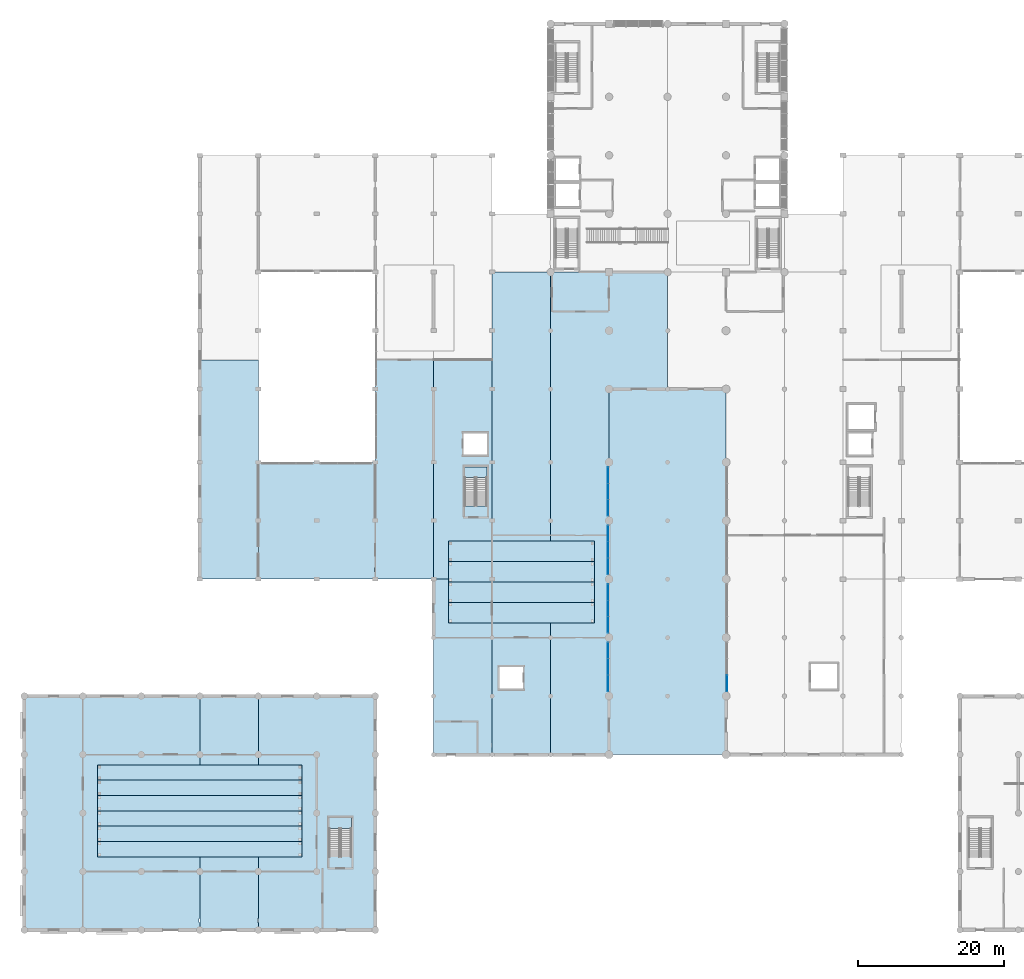
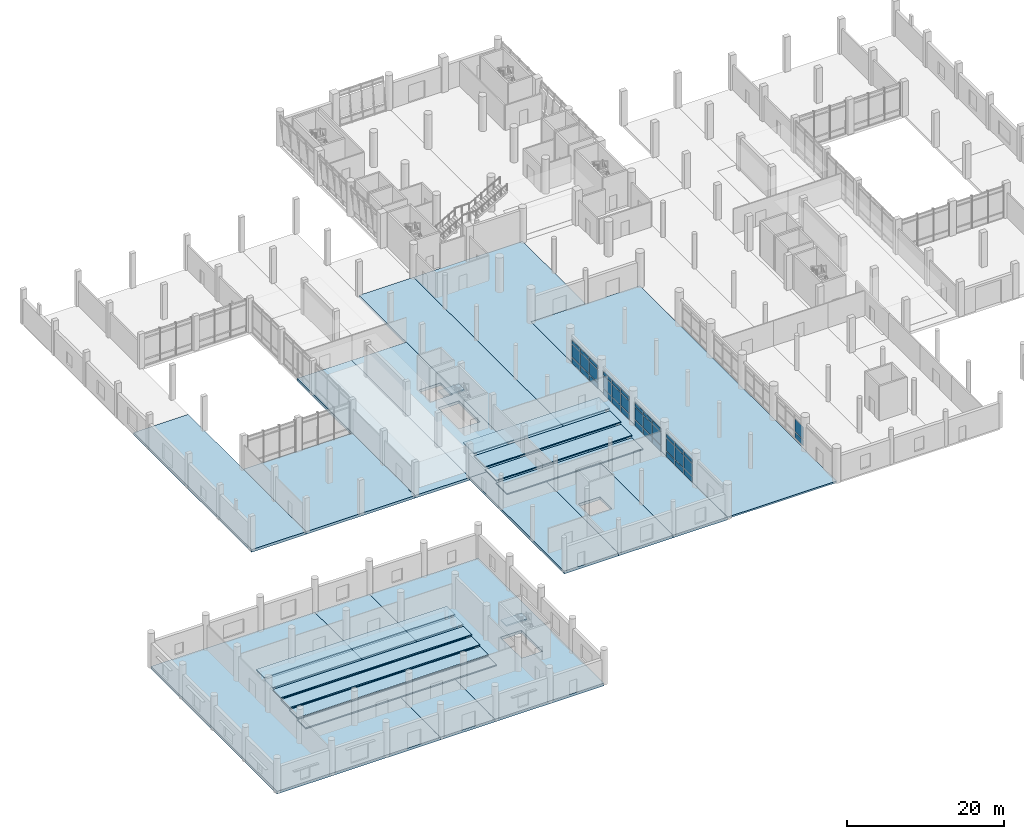
# One storey, part 15 of 42: 38 plates, 23 slabs, 7 elements without a shape of their own.
"""IFC4 building model written with IfcOpenShell, lengths in metres."""

from ifc_helpers import new_model, si_unit, direction, frame, origin, origin_2d, place, context, subcontext, project, spatial, polyline, rectangle, outline, extrude, material, layer, layer_set, type_object, element, aggregate, save


model = new_model("IFC4")

# Units and contexts
model_context = context("Model", 3, precision=1e-05, world=origin(), true_north=direction((0.0, 1.0)))
body_context = subcontext(model_context, "Body", "Model", "MODEL_VIEW")
ifc_project = project(units=[si_unit("LENGTHUNIT", "METRE"), si_unit("AREAUNIT", "SQUARE_METRE"), si_unit("VOLUMEUNIT", "CUBIC_METRE"), si_unit("PLANEANGLEUNIT", "RADIAN"), si_unit("MASSUNIT", "GRAM", prefix="KILO")], contexts=[model_context])

# Site, building, storey
site_placement = place(None, origin())
site = spatial("IfcSite", under=ifc_project, at=site_placement, CompositionType="ELEMENT")
building_placement = place(site_placement, origin())
building = spatial("IfcBuilding", under=site, at=building_placement, Name="Pecanmere Concourse Central Library", CompositionType="ELEMENT")
storey_placement = place(building_placement, origin())
storey = spatial("IfcBuildingStorey", under=building, at=storey_placement, Name="L01", CompositionType="ELEMENT", Elevation=0.0)

# Curtain wall, plates
ifc_material_1 = material(Name="Clear anodized aluminium alloy 6063-T6", Category="aluminium")
curtain_wall_type = type_object("IfcCurtainWallType", Name="CW_CLOISTER_GLAZ", PredefinedType="USERDEFINED", material=ifc_material_1)
curtain_wall_1_placement = place(storey_placement, origin())
curtain_wall_1 = element("IfcCurtainWall", 1, at=curtain_wall_1_placement, inside=storey, type_object=curtain_wall_type, Name="Unitised Curtain Wall CW-04 L01-163", ObjectType="UNITISED CURTAIN WALL", PredefinedType="USERDEFINED")
ifc_material_2 = material(Name="White ceramic-fritted insulated spandrel glazing", Category="glass")
ifc_layer_1 = layer(ifc_material_2, 0.053955078125, Name="CWP_SPN_54")
ifc_layer_set_1 = layer_set([ifc_layer_1], Name="White ceramic-fritted insulated spandrel glazing")
plate_type_1 = type_object("IfcPlateType", Name="CWP_SPN_54", PredefinedType="CURTAIN_PANEL", material=ifc_layer_set_1)
plate_1_placement = place(storey_placement, frame((79.85009765625, 33.77490234375, 0.14013671875), z_axis=(0.0, 0.0, 1.0), x_axis=(0.0, 1.0, 0.0)))
plate_1 = element("IfcPlate", 2, at=plate_1_placement, type_object=plate_type_1, Name="CW-04 Spandrel Panel 1.1", PredefinedType="CURTAIN_PANEL", context=body_context, shape_type="SweptSolid", body=[
    extrude(rectangle(XDim=2.14990234375, YDim=0.035888671875, at=origin_2d()), origin(), (0.0, 0.0, 1.0), 0.840087890625),
])
plate_2_placement = place(storey_placement, frame((79.85009765625, 36.0, 0.14013671875), z_axis=(0.0, 0.0, 1.0), x_axis=(0.0, 1.0, 0.0)))
plate_2 = element("IfcPlate", 3, at=plate_2_placement, type_object=plate_type_1, Name="CW-04 Spandrel Panel 2.1", PredefinedType="CURTAIN_PANEL", context=body_context, shape_type="SweptSolid", body=[
    extrude(rectangle(XDim=2.179931640625, YDim=0.035888671875, at=origin_2d()), origin(), (0.0, 0.0, 1.0), 0.840087890625),
])
plate_3_placement = place(storey_placement, frame((79.85009765625, 38.22509765625, 0.14013671875), z_axis=(0.0, 0.0, 1.0), x_axis=(0.0, 1.0, 0.0)))
plate_3 = element("IfcPlate", 4, at=plate_3_placement, type_object=plate_type_1, Name="CW-04 Spandrel Panel 3.1", PredefinedType="CURTAIN_PANEL", context=body_context, shape_type="SweptSolid", body=[
    extrude(rectangle(XDim=2.14990234375, YDim=0.035888671875, at=origin_2d()), origin(), (0.0, 0.0, 1.0), 0.840087890625),
])

# Curtain wall, plate
curtain_wall_2_placement = place(storey_placement, origin())
curtain_wall_2 = element("IfcCurtainWall", 5, at=curtain_wall_2_placement, inside=storey, type_object=curtain_wall_type, Name="Unitised Curtain Wall CW-04 L01-164", ObjectType="UNITISED CURTAIN WALL", PredefinedType="USERDEFINED")
plate_4_placement = place(storey_placement, frame((96.14990234375, 33.77490234375, 0.14013671875), z_axis=(0.0, 0.0, 1.0), x_axis=(0.0, -1.0, 0.0)))
plate_4 = element("IfcPlate", 6, at=plate_4_placement, type_object=plate_type_1, Name="CW-04 Spandrel Panel 3.1", PredefinedType="CURTAIN_PANEL", context=body_context, shape_type="SweptSolid", body=[
    extrude(rectangle(XDim=2.14990234375, YDim=0.035888671875, at=origin_2d()), origin(), (0.0, 0.0, 1.0), 0.840087890625),
])

# Curtain wall, plates
curtain_wall_3_placement = place(storey_placement, origin())
curtain_wall_3 = element("IfcCurtainWall", 7, at=curtain_wall_3_placement, inside=storey, type_object=curtain_wall_type, Name="Unitised Curtain Wall CW-04 L01-165", ObjectType="UNITISED CURTAIN WALL", PredefinedType="USERDEFINED")
plate_5_placement = place(storey_placement, frame((79.85009765625, 41.77490234375, 0.14013671875), z_axis=(0.0, 0.0, 1.0), x_axis=(0.0, 1.0, 0.0)))
plate_5 = element("IfcPlate", 8, at=plate_5_placement, type_object=plate_type_1, Name="CW-04 Spandrel Panel 1.1", PredefinedType="CURTAIN_PANEL", context=body_context, shape_type="SweptSolid", body=[
    extrude(rectangle(XDim=2.14990234375, YDim=0.035888671875, at=origin_2d()), origin(), (0.0, 0.0, 1.0), 0.840087890625),
])
plate_6_placement = place(storey_placement, frame((79.85009765625, 44.0, 0.14013671875), z_axis=(0.0, 0.0, 1.0), x_axis=(0.0, 1.0, 0.0)))
plate_6 = element("IfcPlate", 9, at=plate_6_placement, type_object=plate_type_1, Name="CW-04 Spandrel Panel 2.1", PredefinedType="CURTAIN_PANEL", context=body_context, shape_type="SweptSolid", body=[
    extrude(rectangle(XDim=2.179931640625, YDim=0.035888671875, at=origin_2d()), origin(), (0.0, 0.0, 1.0), 0.840087890625),
])
plate_7_placement = place(storey_placement, frame((79.85009765625, 46.22509765625, 0.14013671875), z_axis=(0.0, 0.0, 1.0), x_axis=(0.0, 1.0, 0.0)))
plate_7 = element("IfcPlate", 10, at=plate_7_placement, type_object=plate_type_1, Name="CW-04 Spandrel Panel 3.1", PredefinedType="CURTAIN_PANEL", context=body_context, shape_type="SweptSolid", body=[
    extrude(rectangle(XDim=2.14990234375, YDim=0.035888671875, at=origin_2d()), origin(), (0.0, 0.0, 1.0), 0.840087890625),
])

curtain_wall_4_placement = place(storey_placement, origin())
curtain_wall_4 = element("IfcCurtainWall", 11, at=curtain_wall_4_placement, inside=storey, type_object=curtain_wall_type, Name="Unitised Curtain Wall CW-04 L01-167", ObjectType="UNITISED CURTAIN WALL", PredefinedType="USERDEFINED")
plate_8_placement = place(storey_placement, frame((79.85009765625, 49.77490234375, 0.14013671875), z_axis=(0.0, 0.0, 1.0), x_axis=(0.0, 1.0, 0.0)))
plate_8 = element("IfcPlate", 12, at=plate_8_placement, type_object=plate_type_1, Name="CW-04 Spandrel Panel 1.1", PredefinedType="CURTAIN_PANEL", context=body_context, shape_type="SweptSolid", body=[
    extrude(rectangle(XDim=2.14990234375, YDim=0.035888671875, at=origin_2d()), origin(), (0.0, 0.0, 1.0), 0.840087890625),
])
plate_9_placement = place(storey_placement, frame((79.85009765625, 52.0, 0.14013671875), z_axis=(0.0, 0.0, 1.0), x_axis=(0.0, 1.0, 0.0)))
plate_9 = element("IfcPlate", 13, at=plate_9_placement, type_object=plate_type_1, Name="CW-04 Spandrel Panel 2.1", PredefinedType="CURTAIN_PANEL", context=body_context, shape_type="SweptSolid", body=[
    extrude(rectangle(XDim=2.179931640625, YDim=0.035888671875, at=origin_2d()), origin(), (0.0, 0.0, 1.0), 0.840087890625),
])
plate_10_placement = place(storey_placement, frame((79.85009765625, 54.22509765625, 0.14013671875), z_axis=(0.0, 0.0, 1.0), x_axis=(0.0, 1.0, 0.0)))
plate_10 = element("IfcPlate", 14, at=plate_10_placement, type_object=plate_type_1, Name="CW-04 Spandrel Panel 3.1", PredefinedType="CURTAIN_PANEL", context=body_context, shape_type="SweptSolid", body=[
    extrude(rectangle(XDim=2.14990234375, YDim=0.035888671875, at=origin_2d()), origin(), (0.0, 0.0, 1.0), 0.840087890625),
])

curtain_wall_5_placement = place(storey_placement, origin())
curtain_wall_5 = element("IfcCurtainWall", 15, at=curtain_wall_5_placement, inside=storey, type_object=curtain_wall_type, Name="Unitised Curtain Wall CW-04 L01-169", ObjectType="UNITISED CURTAIN WALL", PredefinedType="USERDEFINED")
plate_11_placement = place(storey_placement, frame((79.85009765625, 57.77490234375, 0.14013671875), z_axis=(0.0, 0.0, 1.0), x_axis=(0.0, 1.0, 0.0)))
plate_11 = element("IfcPlate", 16, at=plate_11_placement, type_object=plate_type_1, Name="CW-04 Spandrel Panel 1.1", PredefinedType="CURTAIN_PANEL", context=body_context, shape_type="SweptSolid", body=[
    extrude(rectangle(XDim=2.14990234375, YDim=0.035888671875, at=origin_2d()), origin(), (0.0, 0.0, 1.0), 0.840087890625),
])
plate_12_placement = place(storey_placement, frame((79.85009765625, 60.0, 0.14013671875), z_axis=(0.0, 0.0, 1.0), x_axis=(0.0, 1.0, 0.0)))
plate_12 = element("IfcPlate", 17, at=plate_12_placement, type_object=plate_type_1, Name="CW-04 Spandrel Panel 2.1", PredefinedType="CURTAIN_PANEL", context=body_context, shape_type="SweptSolid", body=[
    extrude(rectangle(XDim=2.179931640625, YDim=0.035888671875, at=origin_2d()), origin(), (0.0, 0.0, 1.0), 0.840087890625),
])
plate_13_placement = place(storey_placement, frame((79.85009765625, 62.22509765625, 0.14013671875), z_axis=(0.0, 0.0, 1.0), x_axis=(0.0, 1.0, 0.0)))
plate_13 = element("IfcPlate", 18, at=plate_13_placement, type_object=plate_type_1, Name="CW-04 Spandrel Panel 3.1", PredefinedType="CURTAIN_PANEL", context=body_context, shape_type="SweptSolid", body=[
    extrude(rectangle(XDim=2.14990234375, YDim=0.035888671875, at=origin_2d()), origin(), (0.0, 0.0, 1.0), 0.840087890625),
])

# Plate
ifc_material_3 = material(Name="Low-iron clear insulated glazing", Category="glass")
ifc_layer_2 = layer(ifc_material_3, 0.035888671875, Name="CWP_VIS_36")
ifc_layer_set_2 = layer_set([ifc_layer_2], Name="Low-iron clear insulated glazing")
plate_type_2 = type_object("IfcPlateType", Name="CWP_VIS_36", PredefinedType="CURTAIN_PANEL", material=ifc_layer_set_2)
plate_14_placement = place(storey_placement, frame((79.85009765625, 33.77490234375, 1.1201171875), z_axis=(0.0, 0.0, 1.0), x_axis=(0.0, 1.0, 0.0)))
plate_14 = element("IfcPlate", 19, at=plate_14_placement, type_object=plate_type_2, Name="CW-04 Vision Panel 1.2", PredefinedType="CURTAIN_PANEL", context=body_context, shape_type="SweptSolid", body=[
    extrude(rectangle(XDim=2.14990234375, YDim=0.035888671875, at=origin_2d()), origin(), (0.0, 0.0, 1.0), 1.909912109375),
])

plate_15_placement = place(storey_placement, frame((79.85009765625, 33.77490234375, 3.169921875), z_axis=(0.0, 0.0, 1.0), x_axis=(0.0, 1.0, 0.0)))
plate_15 = element("IfcPlate", 20, at=plate_15_placement, type_object=plate_type_2, Name="CW-04 Vision Panel 1.3", PredefinedType="CURTAIN_PANEL", context=body_context, shape_type="SweptSolid", body=[
    extrude(rectangle(XDim=2.14990234375, YDim=0.035888671875, at=origin_2d()), origin(), (0.0, 0.0, 1.0), 0.5400390625),
])

plate_16_placement = place(storey_placement, frame((79.85009765625, 36.0, 1.1201171875), z_axis=(0.0, 0.0, 1.0), x_axis=(0.0, 1.0, 0.0)))
plate_16 = element("IfcPlate", 21, at=plate_16_placement, type_object=plate_type_2, Name="CW-04 Vision Panel 2.2", PredefinedType="CURTAIN_PANEL", context=body_context, shape_type="SweptSolid", body=[
    extrude(rectangle(XDim=2.179931640625, YDim=0.035888671875, at=origin_2d()), origin(), (0.0, 0.0, 1.0), 1.909912109375),
])

plate_17_placement = place(storey_placement, frame((79.85009765625, 36.0, 3.169921875), z_axis=(0.0, 0.0, 1.0), x_axis=(0.0, 1.0, 0.0)))
plate_17 = element("IfcPlate", 22, at=plate_17_placement, type_object=plate_type_2, Name="CW-04 Vision Panel 2.3", PredefinedType="CURTAIN_PANEL", context=body_context, shape_type="SweptSolid", body=[
    extrude(rectangle(XDim=2.179931640625, YDim=0.035888671875, at=origin_2d()), origin(), (0.0, 0.0, 1.0), 0.5400390625),
])

plate_18_placement = place(storey_placement, frame((79.85009765625, 38.22509765625, 1.1201171875), z_axis=(0.0, 0.0, 1.0), x_axis=(0.0, 1.0, 0.0)))
plate_18 = element("IfcPlate", 23, at=plate_18_placement, type_object=plate_type_2, Name="CW-04 Vision Panel 3.2", PredefinedType="CURTAIN_PANEL", context=body_context, shape_type="SweptSolid", body=[
    extrude(rectangle(XDim=2.14990234375, YDim=0.035888671875, at=origin_2d()), origin(), (0.0, 0.0, 1.0), 1.909912109375),
])

plate_19_placement = place(storey_placement, frame((79.85009765625, 38.22509765625, 3.169921875), z_axis=(0.0, 0.0, 1.0), x_axis=(0.0, 1.0, 0.0)))
plate_19 = element("IfcPlate", 24, at=plate_19_placement, type_object=plate_type_2, Name="CW-04 Vision Panel 3.3", PredefinedType="CURTAIN_PANEL", context=body_context, shape_type="SweptSolid", body=[
    extrude(rectangle(XDim=2.14990234375, YDim=0.035888671875, at=origin_2d()), origin(), (0.0, 0.0, 1.0), 0.5400390625),
])

aggregate(curtain_wall_1, [plate_1, plate_14, plate_15, plate_2, plate_16, plate_17, plate_3, plate_18, plate_19])

plate_20_placement = place(storey_placement, frame((96.14990234375, 33.77490234375, 1.1201171875), z_axis=(0.0, 0.0, 1.0), x_axis=(0.0, -1.0, 0.0)))
plate_20 = element("IfcPlate", 25, at=plate_20_placement, type_object=plate_type_2, Name="CW-04 Vision Panel 3.2", PredefinedType="CURTAIN_PANEL", context=body_context, shape_type="SweptSolid", body=[
    extrude(rectangle(XDim=2.14990234375, YDim=0.035888671875, at=origin_2d()), origin(), (0.0, 0.0, 1.0), 1.909912109375),
])

aggregate(curtain_wall_2, [plate_4, plate_20])

plate_21_placement = place(storey_placement, frame((79.85009765625, 41.77490234375, 1.1201171875), z_axis=(0.0, 0.0, 1.0), x_axis=(0.0, 1.0, 0.0)))
plate_21 = element("IfcPlate", 26, at=plate_21_placement, type_object=plate_type_2, Name="CW-04 Vision Panel 1.2", PredefinedType="CURTAIN_PANEL", context=body_context, shape_type="SweptSolid", body=[
    extrude(rectangle(XDim=2.14990234375, YDim=0.035888671875, at=origin_2d()), origin(), (0.0, 0.0, 1.0), 1.909912109375),
])

plate_22_placement = place(storey_placement, frame((79.85009765625, 41.77490234375, 3.169921875), z_axis=(0.0, 0.0, 1.0), x_axis=(0.0, 1.0, 0.0)))
plate_22 = element("IfcPlate", 27, at=plate_22_placement, type_object=plate_type_2, Name="CW-04 Vision Panel 1.3", PredefinedType="CURTAIN_PANEL", context=body_context, shape_type="SweptSolid", body=[
    extrude(rectangle(XDim=2.14990234375, YDim=0.035888671875, at=origin_2d()), origin(), (0.0, 0.0, 1.0), 0.5400390625),
])

plate_23_placement = place(storey_placement, frame((79.85009765625, 44.0, 1.1201171875), z_axis=(0.0, 0.0, 1.0), x_axis=(0.0, 1.0, 0.0)))
plate_23 = element("IfcPlate", 28, at=plate_23_placement, type_object=plate_type_2, Name="CW-04 Vision Panel 2.2", PredefinedType="CURTAIN_PANEL", context=body_context, shape_type="SweptSolid", body=[
    extrude(rectangle(XDim=2.179931640625, YDim=0.035888671875, at=origin_2d()), origin(), (0.0, 0.0, 1.0), 1.909912109375),
])

plate_24_placement = place(storey_placement, frame((79.85009765625, 44.0, 3.169921875), z_axis=(0.0, 0.0, 1.0), x_axis=(0.0, 1.0, 0.0)))
plate_24 = element("IfcPlate", 29, at=plate_24_placement, type_object=plate_type_2, Name="CW-04 Vision Panel 2.3", PredefinedType="CURTAIN_PANEL", context=body_context, shape_type="SweptSolid", body=[
    extrude(rectangle(XDim=2.179931640625, YDim=0.035888671875, at=origin_2d()), origin(), (0.0, 0.0, 1.0), 0.5400390625),
])

plate_25_placement = place(storey_placement, frame((79.85009765625, 46.22509765625, 1.1201171875), z_axis=(0.0, 0.0, 1.0), x_axis=(0.0, 1.0, 0.0)))
plate_25 = element("IfcPlate", 30, at=plate_25_placement, type_object=plate_type_2, Name="CW-04 Vision Panel 3.2", PredefinedType="CURTAIN_PANEL", context=body_context, shape_type="SweptSolid", body=[
    extrude(rectangle(XDim=2.14990234375, YDim=0.035888671875, at=origin_2d()), origin(), (0.0, 0.0, 1.0), 1.909912109375),
])

plate_26_placement = place(storey_placement, frame((79.85009765625, 46.22509765625, 3.169921875), z_axis=(0.0, 0.0, 1.0), x_axis=(0.0, 1.0, 0.0)))
plate_26 = element("IfcPlate", 31, at=plate_26_placement, type_object=plate_type_2, Name="CW-04 Vision Panel 3.3", PredefinedType="CURTAIN_PANEL", context=body_context, shape_type="SweptSolid", body=[
    extrude(rectangle(XDim=2.14990234375, YDim=0.035888671875, at=origin_2d()), origin(), (0.0, 0.0, 1.0), 0.5400390625),
])

aggregate(curtain_wall_3, [plate_5, plate_21, plate_22, plate_6, plate_23, plate_24, plate_7, plate_25, plate_26])

plate_27_placement = place(storey_placement, frame((79.85009765625, 49.77490234375, 1.1201171875), z_axis=(0.0, 0.0, 1.0), x_axis=(0.0, 1.0, 0.0)))
plate_27 = element("IfcPlate", 32, at=plate_27_placement, type_object=plate_type_2, Name="CW-04 Vision Panel 1.2", PredefinedType="CURTAIN_PANEL", context=body_context, shape_type="SweptSolid", body=[
    extrude(rectangle(XDim=2.14990234375, YDim=0.035888671875, at=origin_2d()), origin(), (0.0, 0.0, 1.0), 1.909912109375),
])

plate_28_placement = place(storey_placement, frame((79.85009765625, 49.77490234375, 3.169921875), z_axis=(0.0, 0.0, 1.0), x_axis=(0.0, 1.0, 0.0)))
plate_28 = element("IfcPlate", 33, at=plate_28_placement, type_object=plate_type_2, Name="CW-04 Vision Panel 1.3", PredefinedType="CURTAIN_PANEL", context=body_context, shape_type="SweptSolid", body=[
    extrude(rectangle(XDim=2.14990234375, YDim=0.035888671875, at=origin_2d()), origin(), (0.0, 0.0, 1.0), 0.5400390625),
])

plate_29_placement = place(storey_placement, frame((79.85009765625, 52.0, 1.1201171875), z_axis=(0.0, 0.0, 1.0), x_axis=(0.0, 1.0, 0.0)))
plate_29 = element("IfcPlate", 34, at=plate_29_placement, type_object=plate_type_2, Name="CW-04 Vision Panel 2.2", PredefinedType="CURTAIN_PANEL", context=body_context, shape_type="SweptSolid", body=[
    extrude(rectangle(XDim=2.179931640625, YDim=0.035888671875, at=origin_2d()), origin(), (0.0, 0.0, 1.0), 1.909912109375),
])

plate_30_placement = place(storey_placement, frame((79.85009765625, 52.0, 3.169921875), z_axis=(0.0, 0.0, 1.0), x_axis=(0.0, 1.0, 0.0)))
plate_30 = element("IfcPlate", 35, at=plate_30_placement, type_object=plate_type_2, Name="CW-04 Vision Panel 2.3", PredefinedType="CURTAIN_PANEL", context=body_context, shape_type="SweptSolid", body=[
    extrude(rectangle(XDim=2.179931640625, YDim=0.035888671875, at=origin_2d()), origin(), (0.0, 0.0, 1.0), 0.5400390625),
])

plate_31_placement = place(storey_placement, frame((79.85009765625, 54.22509765625, 1.1201171875), z_axis=(0.0, 0.0, 1.0), x_axis=(0.0, 1.0, 0.0)))
plate_31 = element("IfcPlate", 36, at=plate_31_placement, type_object=plate_type_2, Name="CW-04 Vision Panel 3.2", PredefinedType="CURTAIN_PANEL", context=body_context, shape_type="SweptSolid", body=[
    extrude(rectangle(XDim=2.14990234375, YDim=0.035888671875, at=origin_2d()), origin(), (0.0, 0.0, 1.0), 1.909912109375),
])

plate_32_placement = place(storey_placement, frame((79.85009765625, 54.22509765625, 3.169921875), z_axis=(0.0, 0.0, 1.0), x_axis=(0.0, 1.0, 0.0)))
plate_32 = element("IfcPlate", 37, at=plate_32_placement, type_object=plate_type_2, Name="CW-04 Vision Panel 3.3", PredefinedType="CURTAIN_PANEL", context=body_context, shape_type="SweptSolid", body=[
    extrude(rectangle(XDim=2.14990234375, YDim=0.035888671875, at=origin_2d()), origin(), (0.0, 0.0, 1.0), 0.5400390625),
])

aggregate(curtain_wall_4, [plate_8, plate_27, plate_28, plate_9, plate_29, plate_30, plate_10, plate_31, plate_32])

plate_33_placement = place(storey_placement, frame((79.85009765625, 57.77490234375, 1.1201171875), z_axis=(0.0, 0.0, 1.0), x_axis=(0.0, 1.0, 0.0)))
plate_33 = element("IfcPlate", 38, at=plate_33_placement, type_object=plate_type_2, Name="CW-04 Vision Panel 1.2", PredefinedType="CURTAIN_PANEL", context=body_context, shape_type="SweptSolid", body=[
    extrude(rectangle(XDim=2.14990234375, YDim=0.035888671875, at=origin_2d()), origin(), (0.0, 0.0, 1.0), 1.909912109375),
])

plate_34_placement = place(storey_placement, frame((79.85009765625, 57.77490234375, 3.169921875), z_axis=(0.0, 0.0, 1.0), x_axis=(0.0, 1.0, 0.0)))
plate_34 = element("IfcPlate", 39, at=plate_34_placement, type_object=plate_type_2, Name="CW-04 Vision Panel 1.3", PredefinedType="CURTAIN_PANEL", context=body_context, shape_type="SweptSolid", body=[
    extrude(rectangle(XDim=2.14990234375, YDim=0.035888671875, at=origin_2d()), origin(), (0.0, 0.0, 1.0), 0.5400390625),
])

plate_35_placement = place(storey_placement, frame((79.85009765625, 60.0, 1.1201171875), z_axis=(0.0, 0.0, 1.0), x_axis=(0.0, 1.0, 0.0)))
plate_35 = element("IfcPlate", 40, at=plate_35_placement, type_object=plate_type_2, Name="CW-04 Vision Panel 2.2", PredefinedType="CURTAIN_PANEL", context=body_context, shape_type="SweptSolid", body=[
    extrude(rectangle(XDim=2.179931640625, YDim=0.035888671875, at=origin_2d()), origin(), (0.0, 0.0, 1.0), 1.909912109375),
])

plate_36_placement = place(storey_placement, frame((79.85009765625, 60.0, 3.169921875), z_axis=(0.0, 0.0, 1.0), x_axis=(0.0, 1.0, 0.0)))
plate_36 = element("IfcPlate", 41, at=plate_36_placement, type_object=plate_type_2, Name="CW-04 Vision Panel 2.3", PredefinedType="CURTAIN_PANEL", context=body_context, shape_type="SweptSolid", body=[
    extrude(rectangle(XDim=2.179931640625, YDim=0.035888671875, at=origin_2d()), origin(), (0.0, 0.0, 1.0), 0.5400390625),
])

plate_37_placement = place(storey_placement, frame((79.85009765625, 62.22509765625, 1.1201171875), z_axis=(0.0, 0.0, 1.0), x_axis=(0.0, 1.0, 0.0)))
plate_37 = element("IfcPlate", 42, at=plate_37_placement, type_object=plate_type_2, Name="CW-04 Vision Panel 3.2", PredefinedType="CURTAIN_PANEL", context=body_context, shape_type="SweptSolid", body=[
    extrude(rectangle(XDim=2.14990234375, YDim=0.035888671875, at=origin_2d()), origin(), (0.0, 0.0, 1.0), 1.909912109375),
])

plate_38_placement = place(storey_placement, frame((79.85009765625, 62.22509765625, 3.169921875), z_axis=(0.0, 0.0, 1.0), x_axis=(0.0, 1.0, 0.0)))
plate_38 = element("IfcPlate", 43, at=plate_38_placement, type_object=plate_type_2, Name="CW-04 Vision Panel 3.3", PredefinedType="CURTAIN_PANEL", context=body_context, shape_type="SweptSolid", body=[
    extrude(rectangle(XDim=2.14990234375, YDim=0.035888671875, at=origin_2d()), origin(), (0.0, 0.0, 1.0), 0.5400390625),
])

aggregate(curtain_wall_5, [plate_11, plate_33, plate_34, plate_12, plate_35, plate_36, plate_13, plate_37, plate_38])

# Slabs
ifc_material_4 = material(Name="Concrete C35/45", Category="concrete")
ifc_layer_3 = layer(ifc_material_4, 0.419921875, Name="SLAB_GRADE_420")
ifc_layer_set_3 = layer_set([ifc_layer_3], Name="Concrete C35/45")
slab_type_1 = type_object("IfcSlabType", Name="SLAB_GRADE_420", PredefinedType="FLOOR", material=ifc_layer_set_3)
slab_1_placement = place(storey_placement, frame((0.0, 0.0, -0.419921875)))
element("IfcSlab", 44, at=slab_1_placement, inside=storey, type_object=slab_type_1, Name="Floor Slab V3 L01-044", PredefinedType="FLOOR", context=body_context, shape_type="SweptSolid", body=[
    extrude(outline(polyline([(32.0, 48.0), (24.0, 48.0), (24.0, 78.0), (32.0, 78.0), (32.0, 64.0), (32.0, 48.0)])), origin(), (0.0, 0.0, 1.0), 0.419921875),
])
slab_2_placement = place(storey_placement, frame((0.0, 0.0, -0.419921875)))
element("IfcSlab", 45, at=slab_2_placement, inside=storey, type_object=slab_type_1, Name="Floor Slab V3 L01-046", PredefinedType="FLOOR", context=body_context, shape_type="SweptSolid", body=[
    extrude(outline(polyline([(32.0, 48.0), (32.0, 64.0), (48.0, 64.0), (48.0, 49.60009765625), (47.919921875, 49.60009765625), (47.919921875, 49.0), (48.0, 49.0), (48.0, 48.0), (32.0, 48.0)])), origin(), (0.0, 0.0, 1.0), 0.419921875),
])
slab_3_placement = place(storey_placement, frame((0.0, 0.0, -0.419921875)))
element("IfcSlab", 46, at=slab_3_placement, inside=storey, type_object=slab_type_1, Name="Floor Slab V3 L01-048", PredefinedType="FLOOR", context=body_context, shape_type="SweptSolid", body=[
    extrude(outline(polyline([(48.0, 48.0), (48.0, 64.0), (48.0, 78.0), (56.0, 78.0), (56.0, 48.0), (48.0, 48.0)])), origin(), (0.0, 0.0, 1.0), 0.419921875),
])
slab_4_placement = place(storey_placement, frame((0.0, 0.0, -0.419921875)))
element("IfcSlab", 47, at=slab_4_placement, inside=storey, type_object=slab_type_1, Name="Floor Slab V3 L01-050", PredefinedType="FLOOR", context=body_context, shape_type="SweptSolid", body=[
    extrude(outline(polyline([(56.0, 48.0), (56.0, 78.0), (64.0, 78.0), (64.0, 48.0), (56.0, 48.0)]), holes=[polyline([(63.300048828125, 63.3701171875), (60.239990234375, 63.3701171875), (60.239990234375, 58.030029296875), (63.300048828125, 58.030029296875), (63.300048828125, 63.3701171875)]), polyline([(63.300048828125, 68.0), (60.10009765625, 68.0), (60.10009765625, 65.0), (63.300048828125, 65.0), (63.300048828125, 68.0)])]), origin(), (0.0, 0.0, 1.0), 0.419921875),
])
slab_5_placement = place(storey_placement, frame((0.0, 0.0, -0.419921875)))
element("IfcSlab", 48, at=slab_5_placement, inside=storey, type_object=slab_type_1, Name="Floor Slab V4 L01-053", PredefinedType="FLOOR", context=body_context, shape_type="SweptSolid", body=[
    extrude(outline(polyline([(0.0, 0.0), (0.0, 32.0), (24.0, 32.0), (24.0, 1.60009765625), (23.919921875, 1.60009765625), (23.919921875, 1.0), (24.0, 1.0), (24.0, 0.0), (0.0, 0.0)])), origin(), (0.0, 0.0, 1.0), 0.419921875),
])
slab_6_placement = place(storey_placement, frame((0.0, 0.0, -0.419921875)))
element("IfcSlab", 49, at=slab_6_placement, inside=storey, type_object=slab_type_1, Name="Floor Slab V4 L01-054", PredefinedType="FLOOR", context=body_context, shape_type="SweptSolid", body=[
    extrude(outline(polyline([(24.0, 32.0), (32.0, 32.0), (32.0, 1.60009765625), (31.919921875, 1.60009765625), (31.919921875, 1.0), (32.0, 1.0), (32.0, 0.0), (24.0, 0.0), (24.0, 32.0)])), origin(), (0.0, 0.0, 1.0), 0.419921875),
])
slab_7_placement = place(storey_placement, frame((0.0, 0.0, -0.419921875)))
element("IfcSlab", 50, at=slab_7_placement, inside=storey, type_object=slab_type_1, Name="Floor Slab V4 L01-055", PredefinedType="FLOOR", context=body_context, shape_type="SweptSolid", body=[
    extrude(outline(polyline([(32.0, 0.0), (32.0, 32.0), (48.0, 32.0), (48.0, 0.0), (32.0, 0.0)]), holes=[polyline([(44.760009765625, 15.3701171875), (41.699951171875, 15.3701171875), (41.699951171875, 10.030029296875), (44.760009765625, 10.030029296875), (44.760009765625, 15.3701171875)])]), origin(), (0.0, 0.0, 1.0), 0.419921875),
])
slab_8_placement = place(storey_placement, frame((0.0, 0.0, -0.419921875)))
element("IfcSlab", 51, at=slab_8_placement, inside=storey, type_object=slab_type_1, Name="Floor Slab V6 L01-060", PredefinedType="FLOOR", context=body_context, shape_type="SweptSolid", body=[
    extrude(outline(polyline([(56.0, 24.0), (56.0, 48.0), (64.0, 48.0), (64.0, 25.60009765625), (63.919921875, 25.60009765625), (63.919921875, 25.0), (64.0, 25.0), (64.0, 24.0), (56.0, 24.0)])), origin(), (0.0, 0.0, 1.0), 0.419921875),
])
slab_9_placement = place(storey_placement, frame((0.0, 0.0, -0.419921875)))
element("IfcSlab", 52, at=slab_9_placement, inside=storey, type_object=slab_type_1, Name="Floor Slab V6 L01-061", PredefinedType="FLOOR", context=body_context, shape_type="SweptSolid", body=[
    extrude(outline(polyline([(72.0, 24.0), (64.0, 24.0), (64.0, 48.0), (64.0, 90.0), (72.0, 90.0), (72.0, 24.0)]), holes=[polyline([(68.199951171875, 36.0), (65.0, 36.0), (65.0, 33.0), (68.199951171875, 33.0), (68.199951171875, 36.0)])]), origin(), (0.0, 0.0, 1.0), 0.419921875),
])
slab_10_placement = place(storey_placement, frame((0.0, 0.0, -0.419921875)))
element("IfcSlab", 53, at=slab_10_placement, inside=storey, type_object=slab_type_1, Name="Floor Slab V6 L01-062", PredefinedType="FLOOR", context=body_context, shape_type="SweptSolid", body=[
    extrude(outline(polyline([(88.0, 74.0), (80.0, 74.0), (80.0, 24.0), (72.0, 24.0), (72.0, 90.0), (80.0, 90.0), (88.0, 90.0), (88.0, 74.0)])), origin(), (0.0, 0.0, 1.0), 0.419921875),
])

# Stair, slab
ifc_material_5 = material(Name="Concrete C35/45", Category="concrete")
stair_type_1 = type_object("IfcStairType", Name="STAIR_TYPE_ST-06-1800", PredefinedType="USERDEFINED", material=ifc_material_5)
stair_1_placement = place(storey_placement, origin())
stair_1 = element("IfcStair", 54, at=stair_1_placement, inside=storey, type_object=stair_type_1, Name="L01 Protected Stair ST-06", ObjectType="TWO_RETURN_STAIR", PredefinedType="USERDEFINED")
ifc_material_6 = material(Name="Concrete C35/45", Category="concrete")
ifc_layer_4 = layer(ifc_material_6, 0.199951171875, Name="SLAB_LANDING_200")
ifc_layer_set_4 = layer_set([ifc_layer_4], Name="Concrete C35/45")
slab_type_2 = type_object("IfcSlabType", Name="SLAB_LANDING_200", PredefinedType="LANDING", material=ifc_layer_set_4)
slab_11_placement = place(storey_placement, frame((0.0, 0.0, 2.5)))
slab_11 = element("IfcSlab", 55, at=slab_11_placement, type_object=slab_type_2, Name="ST-06-1800 landing 1", PredefinedType="LANDING", context=body_context, shape_type="SweptSolid", body=[
    extrude(outline(polyline([(63.300048828125, 61.919921875), (63.300048828125, 63.3701171875), (60.239990234375, 63.3701171875), (60.239990234375, 61.919921875), (63.300048828125, 61.919921875)])), origin(), (0.0, 0.0, 1.0), 0.199951171875),
])
aggregate(stair_1, [slab_11])

ifc_material_7 = material(Name="Concrete C35/45", Category="concrete")
stair_type_2 = type_object("IfcStairType", Name="STAIR_TYPE_ST-07-1800", PredefinedType="USERDEFINED", material=ifc_material_7)
stair_2_placement = place(storey_placement, origin())
stair_2 = element("IfcStair", 56, at=stair_2_placement, inside=storey, type_object=stair_type_2, Name="L01 Protected Stair ST-07", ObjectType="TWO_RETURN_STAIR", PredefinedType="USERDEFINED")
slab_12_placement = place(storey_placement, frame((0.0, 0.0, 2.5)))
slab_12 = element("IfcSlab", 57, at=slab_12_placement, type_object=slab_type_2, Name="ST-07-1800 landing 1", PredefinedType="LANDING", context=body_context, shape_type="SweptSolid", body=[
    extrude(outline(polyline([(44.760009765625, 13.919921875), (44.760009765625, 15.3701171875), (41.699951171875, 15.3701171875), (41.699951171875, 13.919921875), (44.760009765625, 13.919921875)])), origin(), (0.0, 0.0, 1.0), 0.199951171875),
])
aggregate(stair_2, [slab_12])

# Slabs
ifc_material_8 = material(Name="Concrete C35/45", Category="concrete")
ifc_layer_5 = layer(ifc_material_8, 0.2548828125, Name="SLAB_TERR_255")
ifc_layer_set_5 = layer_set([ifc_layer_5], Name="Concrete C35/45")
slab_type_3 = type_object("IfcSlabType", Name="SLAB_TERR_255", PredefinedType="FLOOR", material=ifc_layer_set_5)
slab_13_placement = place(storey_placement, frame((0.0, 0.0, -0.2548828125)))
element("IfcSlab", 58, at=slab_13_placement, inside=storey, type_object=slab_type_3, Name="Covered Public Passage Colonnade", PredefinedType="FLOOR", context=body_context, shape_type="SweptSolid", body=[
    extrude(outline(polyline([(95.9951171875, 24.0048828125), (80.0048828125, 24.0048828125), (80.0048828125, 73.9951171875), (95.9951171875, 73.9951171875), (95.9951171875, 24.0048828125)])), origin(), (0.0, 0.0, 1.0), 0.2548828125),
])
ifc_material_9 = material(Name="Precast concrete C40/50", Category="concrete")
ifc_layer_6 = layer(ifc_material_9, 0.155029296875, Name="SLAB_TIER_155")
ifc_layer_set_6 = layer_set([ifc_layer_6], Name="Precast concrete C40/50")
slab_type_4 = type_object("IfcSlabType", Name="SLAB_TIER_155", PredefinedType="USERDEFINED", material=ifc_layer_set_6)
slab_14_placement = place(storey_placement, frame((0.0, 0.0, 0.2451171875)))
element("IfcSlab", 59, at=slab_14_placement, inside=storey, type_object=slab_type_4, Name="Lecture Theatre Raked Seating Tier 1", ObjectType="SEATING TIER", PredefinedType="USERDEFINED", context=body_context, shape_type="SweptSolid", body=[
    extrude(outline(polyline([(58.0, 42.0), (78.0, 42.0), (78.0, 44.800048828125), (58.0, 44.800048828125), (58.0, 42.0)])), origin(), (0.0, 0.0, 1.0), 0.15478515625),
])
slab_15_placement = place(storey_placement, frame((0.0, 0.0, 0.64501953125)))
element("IfcSlab", 60, at=slab_15_placement, inside=storey, type_object=slab_type_4, Name="Lecture Theatre Raked Seating Tier 2", ObjectType="SEATING TIER", PredefinedType="USERDEFINED", context=body_context, shape_type="SweptSolid", body=[
    extrude(outline(polyline([(58.0, 44.800048828125), (78.0, 44.800048828125), (78.0, 47.60009765625), (58.0, 47.60009765625), (58.0, 44.800048828125)])), origin(), (0.0, 0.0, 1.0), 0.155029296875),
])
slab_16_placement = place(storey_placement, frame((0.0, 0.0, 1.044921875)))
element("IfcSlab", 61, at=slab_16_placement, inside=storey, type_object=slab_type_4, Name="Lecture Theatre Raked Seating Tier 3", ObjectType="SEATING TIER", PredefinedType="USERDEFINED", context=body_context, shape_type="SweptSolid", body=[
    extrude(outline(polyline([(58.0, 47.60009765625), (78.0, 47.60009765625), (78.0, 50.39990234375), (58.0, 50.39990234375), (58.0, 47.60009765625)])), origin(), (0.0, 0.0, 1.0), 0.155029296875),
])
slab_17_placement = place(storey_placement, frame((0.0, 0.0, 1.445068359375)))
element("IfcSlab", 62, at=slab_17_placement, inside=storey, type_object=slab_type_4, Name="Lecture Theatre Raked Seating Tier 4", ObjectType="SEATING TIER", PredefinedType="USERDEFINED", context=body_context, shape_type="SweptSolid", body=[
    extrude(outline(polyline([(58.0, 50.39990234375), (78.0, 50.39990234375), (78.0, 53.199951171875), (58.0, 53.199951171875), (58.0, 50.39990234375)])), origin(), (0.0, 0.0, 1.0), 0.155029296875),
])
ifc_material_10 = material(Name="Precast concrete C40/50", Category="concrete")
ifc_layer_7 = layer(ifc_material_10, 0.169921875, Name="SLAB_TIER_170")
ifc_layer_set_7 = layer_set([ifc_layer_7], Name="Precast concrete C40/50")
slab_type_5 = type_object("IfcSlabType", Name="SLAB_TIER_170", PredefinedType="USERDEFINED", material=ifc_layer_set_7)
slab_18_placement = place(storey_placement, frame((0.0, 0.0, 0.1201171875)))
element("IfcSlab", 63, at=slab_18_placement, inside=storey, type_object=slab_type_5, Name="Auditorium Raked Seating Tier 1", ObjectType="SEATING TIER", PredefinedType="USERDEFINED", context=body_context, shape_type="SweptSolid", body=[
    extrude(outline(polyline([(10.0, 10.0), (38.0, 10.0), (38.0, 12.10009765625), (10.0, 12.10009765625), (10.0, 10.0)])), origin(), (0.0, 0.0, 1.0), 0.169921875),
])
slab_19_placement = place(storey_placement, frame((0.0, 0.0, 0.409912109375)))
element("IfcSlab", 64, at=slab_19_placement, inside=storey, type_object=slab_type_5, Name="Auditorium Raked Seating Tier 2", ObjectType="SEATING TIER", PredefinedType="USERDEFINED", context=body_context, shape_type="SweptSolid", body=[
    extrude(outline(polyline([(10.0, 12.10009765625), (38.0, 12.10009765625), (38.0, 14.199951171875), (10.0, 14.199951171875), (10.0, 12.10009765625)])), origin(), (0.0, 0.0, 1.0), 0.170166015625),
])
slab_20_placement = place(storey_placement, frame((0.0, 0.0, 0.699951171875)))
element("IfcSlab", 65, at=slab_20_placement, inside=storey, type_object=slab_type_5, Name="Auditorium Raked Seating Tier 3", ObjectType="SEATING TIER", PredefinedType="USERDEFINED", context=body_context, shape_type="SweptSolid", body=[
    extrude(outline(polyline([(10.0, 14.199951171875), (38.0, 14.199951171875), (38.0, 16.300048828125), (10.0, 16.300048828125), (10.0, 14.199951171875)])), origin(), (0.0, 0.0, 1.0), 0.170166015625),
])
slab_21_placement = place(storey_placement, frame((0.0, 0.0, 0.989990234375)))
element("IfcSlab", 66, at=slab_21_placement, inside=storey, type_object=slab_type_5, Name="Auditorium Raked Seating Tier 4", ObjectType="SEATING TIER", PredefinedType="USERDEFINED", context=body_context, shape_type="SweptSolid", body=[
    extrude(outline(polyline([(10.0, 16.300048828125), (38.0, 16.300048828125), (38.0, 18.39990234375), (10.0, 18.39990234375), (10.0, 16.300048828125)])), origin(), (0.0, 0.0, 1.0), 0.169921875),
])
slab_22_placement = place(storey_placement, frame((0.0, 0.0, 1.280029296875)))
element("IfcSlab", 67, at=slab_22_placement, inside=storey, type_object=slab_type_5, Name="Auditorium Raked Seating Tier 5", ObjectType="SEATING TIER", PredefinedType="USERDEFINED", context=body_context, shape_type="SweptSolid", body=[
    extrude(outline(polyline([(10.0, 18.39990234375), (38.0, 18.39990234375), (38.0, 20.5), (10.0, 20.5), (10.0, 18.39990234375)])), origin(), (0.0, 0.0, 1.0), 0.169921875),
])
slab_23_placement = place(storey_placement, frame((0.0, 0.0, 1.570068359375)))
element("IfcSlab", 68, at=slab_23_placement, inside=storey, type_object=slab_type_5, Name="Auditorium Raked Seating Tier 6", ObjectType="SEATING TIER", PredefinedType="USERDEFINED", context=body_context, shape_type="SweptSolid", body=[
    extrude(outline(polyline([(10.0, 20.5), (38.0, 20.5), (38.0, 22.60009765625), (10.0, 22.60009765625), (10.0, 20.5)])), origin(), (0.0, 0.0, 1.0), 0.169921875),
])

save(model, "model.ifc")
